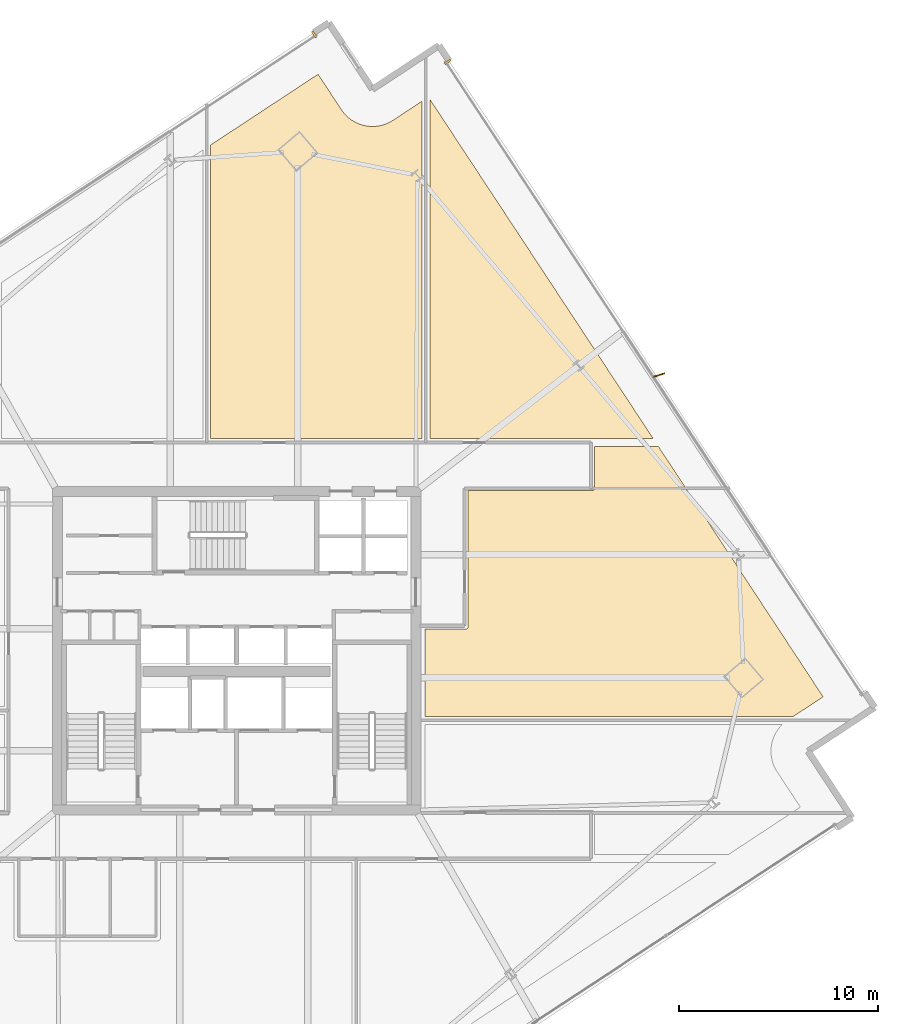
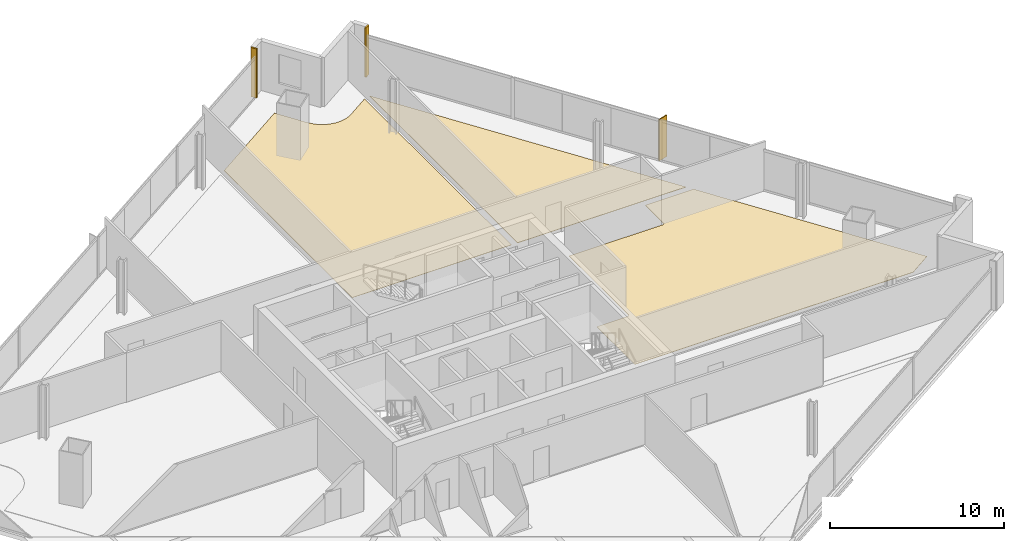
# One storey, part 29 of 29: 5 coverings, 1 shading device.
"""IFC4 building model written with IfcOpenShell, lengths in metres."""

from ifc_helpers import new_model, si_unit, direction, frame, origin, origin_2d, place, context, subcontext, project, spatial, polyline, rectangle, outline, extrude, source, transform, mapped, material, layer, layer_set, type_object, element, save


model = new_model("IFC4")

# Units and contexts
model_context = context("Model", 3, precision=1e-05, world=origin(), true_north=direction((0.0, 1.0)))
body_context = subcontext(model_context, "Body", "Model", "MODEL_VIEW")
ifc_project = project(units=[si_unit("LENGTHUNIT", "METRE"), si_unit("AREAUNIT", "SQUARE_METRE"), si_unit("VOLUMEUNIT", "CUBIC_METRE"), si_unit("PLANEANGLEUNIT", "RADIAN"), si_unit("MASSUNIT", "GRAM", prefix="KILO")], contexts=[model_context])

# Site, building, storey
site_placement = place(None, origin())
site = spatial("IfcSite", under=ifc_project, at=site_placement, CompositionType="ELEMENT")
building_placement = place(site_placement, origin())
building = spatial("IfcBuilding", under=site, at=building_placement, Name="Haldenkirk Collegiate Tower", CompositionType="ELEMENT")
storey_placement = place(building_placement, frame((0.0, 0.0, 140.699951171875)))
storey = spatial("IfcBuildingStorey", under=building, at=storey_placement, Name="L34", CompositionType="ELEMENT", Elevation=140.699951171875)

# Coverings
ifc_material_1 = material(Name="Polished collegiate terrazzo", Category="concrete")
ifc_layer_1 = layer(ifc_material_1, 0.02490234375)
ifc_layer_set_1 = layer_set([ifc_layer_1], Name="Polished collegiate terrazzo")
covering_type_1 = type_object("IfcCoveringType", Name="COV-FLOOR-TERRAZZO", PredefinedType="FLOORING", material=ifc_layer_set_1)
covering_1_placement = place(storey_placement, origin())
element("IfcCovering", 1, at=covering_1_placement, inside=storey, type_object=covering_type_1, Name="L34 academic room finish 06", PredefinedType="FLOORING", context=body_context, shape_type="SweptSolid", body=[
    extrude(outline(polyline([(45.699951171875, 53.698486328125), (56.920166015625, 36.64990234375), (45.699951171875, 36.64990234375), (45.699951171875, 53.698486328125)])), origin(), (0.0, 0.0, 1.0), 0.025146484375),
])
covering_2_placement = place(storey_placement, origin())
element("IfcCovering", 2, at=covering_2_placement, inside=storey, type_object=covering_type_1, Name="L34 academic room finish 10", PredefinedType="FLOORING", context=body_context, shape_type="SweptSolid", body=[
    extrude(outline(polyline([(63.96435546875, 22.699951171875), (45.449951171875, 22.699951171875), (45.449951171875, 27.080078125), (47.5, 27.080078125), (47.51171875, 27.08056640625), (47.5234375, 27.082275390625), (47.534912109375, 27.085205078125), (47.5458984375, 27.089111328125), (47.556640625, 27.09423828125), (47.566650390625, 27.10009765625), (47.576171875, 27.107177734375), (47.5849609375, 27.114990234375), (47.5927734375, 27.123779296875), (47.599853515625, 27.13330078125), (47.605712890625, 27.143310546875), (47.61083984375, 27.154052734375), (47.61474609375, 27.165283203125), (47.61767578125, 27.176513671875), (47.619384765625, 27.188232421875), (47.6201171875, 27.199951171875), (47.6201171875, 34.030029296875), (53.85009765625, 34.030029296875), (53.86181640625, 34.030517578125), (53.873291015625, 34.0322265625), (53.884765625, 34.03515625), (53.89599609375, 34.0390625), (53.906494140625, 34.044189453125), (53.916748046875, 34.05029296875), (53.926025390625, 34.05712890625), (53.934814453125, 34.065185546875), (53.94287109375, 34.073974609375), (53.94970703125, 34.083251953125), (53.955810546875, 34.093505859375), (53.9609375, 34.10400390625), (53.96484375, 34.115234375), (53.9677734375, 34.126708984375), (53.969482421875, 34.13818359375), (53.969970703125, 34.14990234375), (53.969970703125, 36.25), (57.183349609375, 36.25), (65.455078125, 23.681396484375), (63.96435546875, 22.699951171875)])), origin(), (0.0, 0.0, 1.0), 0.025146484375),
])
ifc_material_2 = material(Name="Engineered collegiate oak acoustic flooring", Category="wood")
ifc_layer_2 = layer(ifc_material_2, 0.02197265625)
ifc_layer_set_2 = layer_set([ifc_layer_2], Name="Engineered collegiate oak acoustic flooring")
covering_type_2 = type_object("IfcCoveringType", Name="COV-FLOOR-TIMBER", PredefinedType="FLOORING", material=ifc_layer_set_2)
covering_3_placement = place(storey_placement, origin())
element("IfcCovering", 3, at=covering_3_placement, inside=storey, type_object=covering_type_2, Name="L34 academic room finish 05", PredefinedType="FLOORING", context=body_context, shape_type="SweptSolid", body=[
    extrude(outline(polyline([(41.261962890625, 53.166015625), (41.26513671875, 53.161376953125), (41.366455078125, 53.022705078125), (41.373779296875, 53.013427734375), (41.48828125, 52.885498046875), (41.49658203125, 52.877197265625), (41.623046875, 52.760986328125), (41.632080078125, 52.75341796875), (41.769287109375, 52.650146484375), (41.779052734375, 52.6435546875), (41.92578125, 52.55419921875), (41.93603515625, 52.548583984375), (42.0908203125, 52.47412109375), (42.101806640625, 52.469482421875), (42.262939453125, 52.410400390625), (42.2744140625, 52.406982421875), (42.440673828125, 52.364013671875), (42.4521484375, 52.36181640625), (42.621826171875, 52.335205078125), (42.63330078125, 52.333984375), (42.804931640625, 52.324462890625), (42.81689453125, 52.32421875), (42.98828125, 52.33154296875), (43.0, 52.332763671875), (43.170166015625, 52.356689453125), (43.181640625, 52.35888671875), (43.348388671875, 52.3994140625), (43.35986328125, 52.40283203125), (43.52197265625, 52.459716796875), (43.53271484375, 52.464111328125), (43.6884765625, 52.536376953125), (43.698974609375, 52.541748046875), (43.846923828125, 52.62890625), (43.85205078125, 52.632080078125), (45.300048828125, 53.585205078125), (45.300048828125, 36.64990234375), (34.699951171875, 36.64990234375), (34.699951171875, 51.3974609375), (40.0908203125, 54.9453125), (41.261962890625, 53.166015625)])), origin(), (0.0, 0.0, 1.0), 0.02197265625),
])
ifc_material_3 = material(Name="Anodised architectural bronze aluminium", Category="aluminium")
ifc_layer_3 = layer(ifc_material_3, 0.06005859375)
ifc_layer_set_3 = layer_set([ifc_layer_3], Name="Anodised architectural bronze aluminium")
covering_type_3 = type_object("IfcCoveringType", Name="COV-CLAD-BRONZE-60", PredefinedType="CLADDING", material=ifc_layer_set_3)
shared_shape_1 = source(origin(), body_context, "Body", "SweptSolid", [
    extrude(rectangle(XDim=0.10009765625, YDim=0.3798828125, at=origin_2d()), origin(), (0.0, 0.0, 1.0), 3.4599609375),
])
for number, where, z_axis, x_axis, name in (
    (4, (46.601318359375, 55.56689453125, 0.0), (0.0, 0.0, 1.0), (0.549751988372, -0.835327930385, 0.0), "L34 recessed curtain-wall bronze jamb closure EJL"),
    (5, (39.8974609375, 56.948974609375, 0.0), (0.0, 0.0, 1.0), (0.835327930385, 0.549751988372, 0.0), "L34 recessed curtain-wall bronze jamb closure NJR"),
):
    element("IfcCovering", number, at=place(storey_placement, frame(where, z_axis=z_axis, x_axis=x_axis)), inside=storey, type_object=covering_type_3, Name=name, PredefinedType="CLADDING", context=body_context, shape_type="MappedRepresentation", body=[
        mapped(shared_shape_1, transform((0.0, 0.0, 0.0), x_axis=(1.0, 0.0, 0.0), y_axis=(0.0, 1.0, 0.0), z_axis=(0.0, 0.0, 1.0), scale=1.0)),
    ])

# Shading device
ifc_layer_4 = layer(ifc_material_3, 0.06494140625)
ifc_layer_set_4 = layer_set([ifc_layer_4], Name="Anodised architectural bronze aluminium")
shading_device_type = type_object("IfcShadingDeviceType", Name="SHD-FIN-BRONZE-620", PredefinedType="USERDEFINED", material=ifc_layer_set_4)
shared_shape_2 = source(origin(), body_context, "Body", "SweptSolid", [
    extrude(rectangle(XDim=0.6201171875, YDim=0.06494140625, at=origin_2d()), origin(), (0.0, 0.0, 1.0), 2.910888671875),
])
shading_device_placement = place(storey_placement, frame((57.201416015625, 39.83349609375, 0.0), z_axis=(0.0, 0.0, 1.0), x_axis=(0.954500927457, 0.298207946716, 0.0)))
element("IfcShadingDevice", 6, at=shading_device_placement, inside=storey, type_object=shading_device_type, Name="L34 folded bronze solar fin 1", ObjectType="FIN", PredefinedType="USERDEFINED", context=body_context, shape_type="MappedRepresentation", body=[
    mapped(shared_shape_2, transform((0.0, 0.0, 0.0), x_axis=(1.0, 0.0, 0.0), y_axis=(0.0, 1.0, 0.0), z_axis=(0.0, 0.0, 1.0), scale=1.0)),
])

save(model, "model.ifc")
